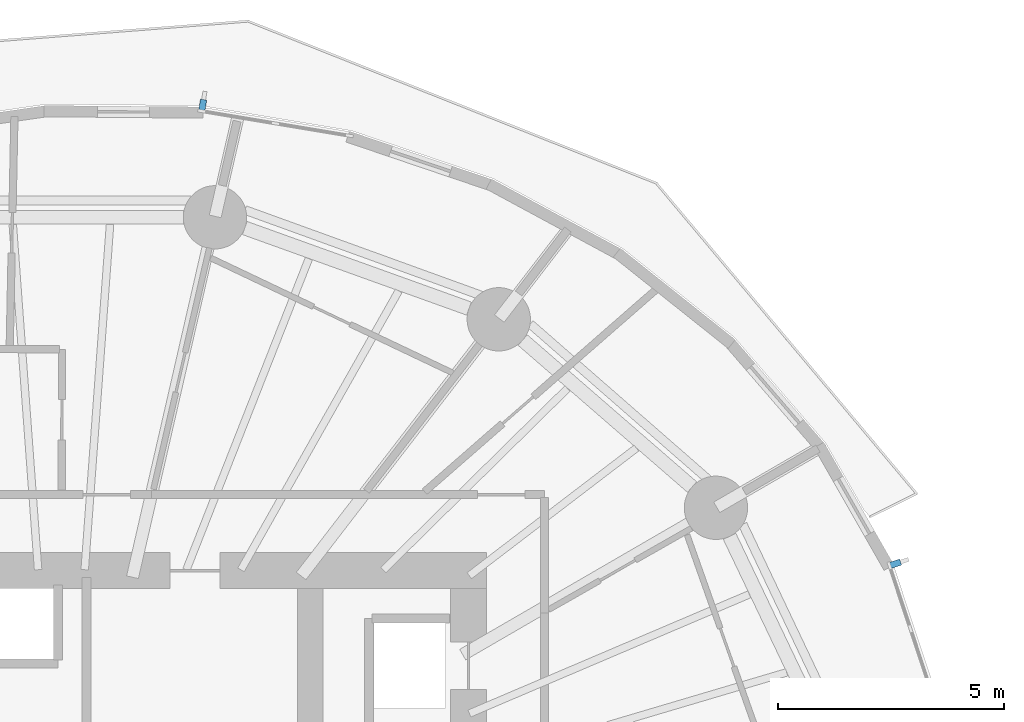
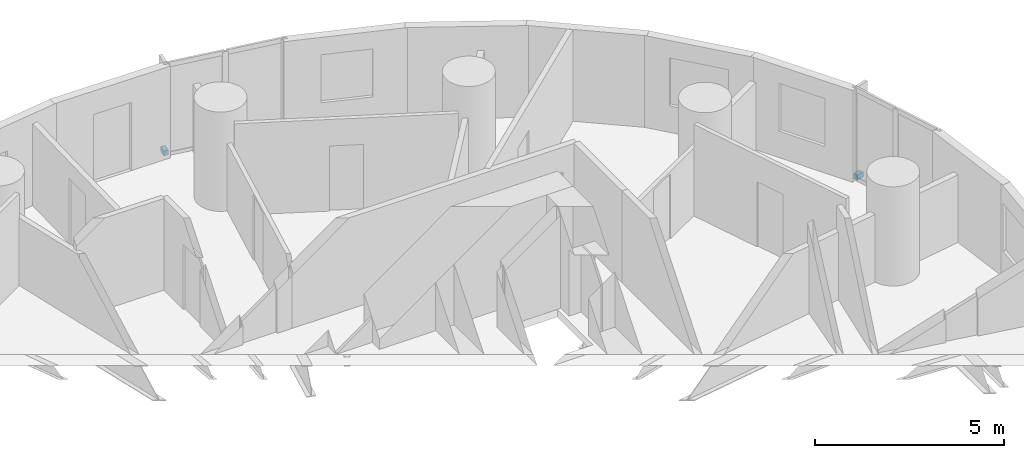
# One storey, part 9 of 13: 2 discrete accessories.
"""IFC4 building model written with IfcOpenShell, lengths in metres."""

from ifc_helpers import new_model, si_unit, direction, frame, origin, origin_2d, place, context, subcontext, project, spatial, rectangle, extrude, material, type_object, element, save


model = new_model("IFC4")

# Units and contexts
model_context = context("Model", 3, precision=1e-05, world=origin(), true_north=direction((0.0, 1.0)))
body_context = subcontext(model_context, "Body", "Model", "MODEL_VIEW")
ifc_project = project(units=[si_unit("LENGTHUNIT", "METRE"), si_unit("AREAUNIT", "SQUARE_METRE"), si_unit("VOLUMEUNIT", "CUBIC_METRE"), si_unit("PLANEANGLEUNIT", "RADIAN"), si_unit("MASSUNIT", "GRAM", prefix="KILO")], contexts=[model_context])

# Site, building, storey
site_placement = place(None, origin())
site = spatial("IfcSite", under=ifc_project, at=site_placement, CompositionType="ELEMENT")
building_placement = place(site_placement, origin())
building = spatial("IfcBuilding", under=site, at=building_placement, Name="Veldorim Arch Residences", CompositionType="ELEMENT")
storey_placement = place(building_placement, frame((0.0, 0.0, 53.60009765625)))
storey = spatial("IfcBuildingStorey", under=building, at=storey_placement, Name="L15", CompositionType="ELEMENT", Elevation=53.60009765625)

# Discrete accessories
ifc_material = material(Name="Stainless Steel", Category="steel")
discrete_accessory_type = type_object("IfcDiscreteAccessoryType", Name="Stainless Steel Facade Fin Anchor Bracket", PredefinedType="BRACKET", material=ifc_material)
for number, where, z_axis, x_axis, name in (
    (1, (50.433349609375, 31.152587890625, -0.02001953125), (0.0, 0.0, 1.0), (0.314820866332, -0.949151106053, 0.0), "L15 stainless fin anchor bracket 01"),
    (2, (35.122802734375, 41.292236328125, -0.02001953125), (0.0, 0.0, 1.0), (0.986429257176, -0.164186846569, 0.0), "L15 stainless fin anchor bracket 07"),
):
    element("IfcDiscreteAccessory", number, at=place(storey_placement, frame(where, z_axis=z_axis, x_axis=x_axis)), inside=storey, type_object=discrete_accessory_type, Name=name, PredefinedType="BRACKET", context=body_context, shape_type="SweptSolid", body=[
        extrude(rectangle(XDim=0.139892578125, YDim=0.239990234375, at=origin_2d()), origin(), (0.0, 0.0, 1.0), 0.159912109375),
    ])

save(model, "model.ifc")
